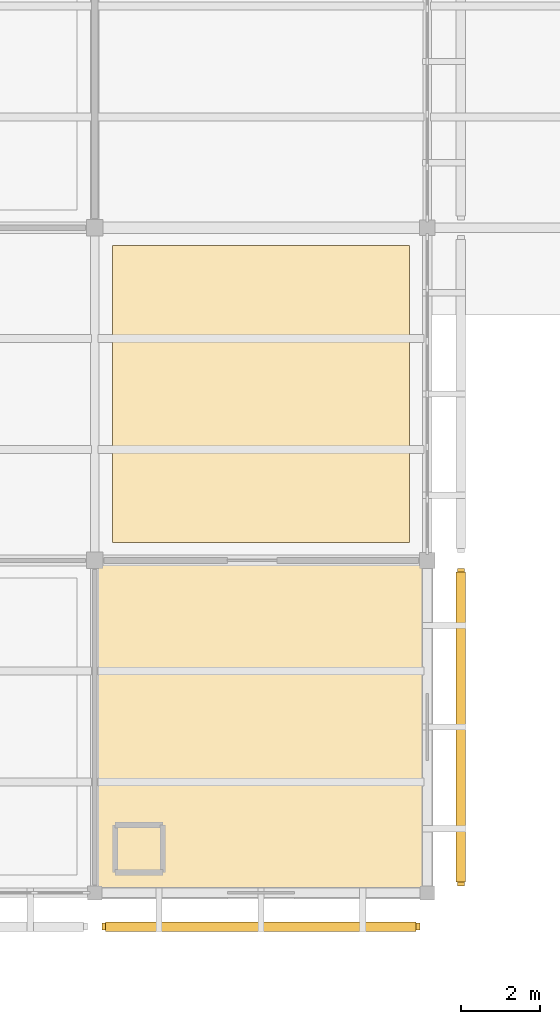
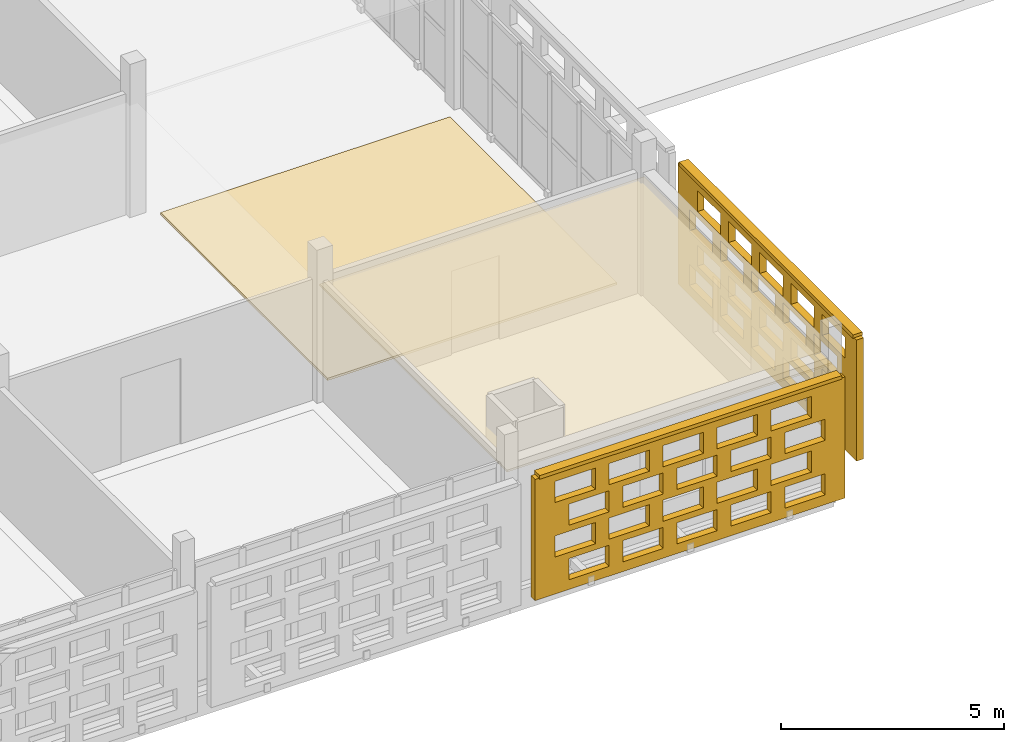
# One storey, part 117 of 166: 4 coverings, 2 shading devices, 40 openings.
"""IFC4 building model written with IfcOpenShell, lengths in metres."""

from ifc_helpers import new_model, si_unit, direction, frame, frame_2d, origin, origin_2d, place, context, subcontext, project, spatial, rectangle, extrude, material, layer, layer_set, type_object, element, save


model = new_model("IFC4")

# Units and contexts
model_context = context("Model", 3, precision=1e-05, world=origin(), true_north=direction((0.0, 1.0)))
body_context = subcontext(model_context, "Body", "Model", "MODEL_VIEW")
ifc_project = project(units=[si_unit("LENGTHUNIT", "METRE"), si_unit("AREAUNIT", "SQUARE_METRE"), si_unit("VOLUMEUNIT", "CUBIC_METRE"), si_unit("PLANEANGLEUNIT", "RADIAN"), si_unit("MASSUNIT", "GRAM", prefix="KILO")], contexts=[model_context])

# Site, building, storey
site_placement = place(None, origin())
site = spatial("IfcSite", under=ifc_project, at=site_placement, CompositionType="ELEMENT")
building_placement = place(site_placement, origin())
building = spatial("IfcBuilding", under=site, at=building_placement, Name="Varnapada Polytechnic", CompositionType="ELEMENT")
storey_placement = place(building_placement, frame((0.0, 0.0, 9.60009765625)))
storey = spatial("IfcBuildingStorey", under=building, at=storey_placement, Name="L02", CompositionType="ELEMENT", Elevation=9.60009765625)

# Coverings
ifc_material_1 = material(Name="Anti-Static Raised Laboratory Flooring")
ifc_layer_1 = layer(ifc_material_1, 0.06005859375)
ifc_layer_set_1 = layer_set([ifc_layer_1], Name="Anti-Static Raised Laboratory Flooring")
covering_type_1 = type_object("IfcCoveringType", Name="Floor Finish FLR-02", PredefinedType="FLOORING", material=ifc_layer_set_1)
covering_1_placement = place(storey_placement, frame((54.60009765625, 12.60009765625, -0.000244140625), z_axis=(0.0, 0.0, 1.0), x_axis=(1.0, 0.0, 0.0)))
element("IfcCovering", 1, at=covering_1_placement, inside=storey, type_object=covering_type_1, Name="L02 floor finish panel (7,2)", PredefinedType="FLOORING", context=body_context, shape_type="SweptSolid", body=[
    extrude(rectangle(XDim=7.5, YDim=7.5, at=origin_2d()), origin(), (0.0, 0.0, 1.0), 0.06005859375),
])
ifc_material_2 = material(Name="Slatted Merbau Timber Acoustic Ceiling", Category="wood")
ifc_layer_2 = layer(ifc_material_2, 0.054931640625)
ifc_layer_set_2 = layer_set([ifc_layer_2], Name="Slatted Merbau Timber Acoustic Ceiling")
covering_type_2 = type_object("IfcCoveringType", Name="Suspended Ceiling CLG-05", PredefinedType="CEILING", material=ifc_layer_set_2)
covering_2_placement = place(storey_placement, frame((54.60009765625, 4.199951171875, 3.0224609375), z_axis=(0.0, 0.0, 1.0), x_axis=(1.0, 0.0, 0.0)))
element("IfcCovering", 2, at=covering_2_placement, inside=storey, type_object=covering_type_2, Name="L02 suspended acoustic ceiling (7,1)", PredefinedType="CEILING", context=body_context, shape_type="SweptSolid", body=[
    extrude(rectangle(XDim=8.419921875, YDim=8.419921875, at=origin_2d()), origin(), (0.0, 0.0, 1.0), 0.054931640625),
])

# Covering, openings
ifc_material_3 = material(Name="Earth-toned architectural terracotta screen block", Category="masonry")
ifc_layer_3 = layer(ifc_material_3, 0.1201171875)
ifc_layer_set_3 = layer_set([ifc_layer_3], Name="Earth-toned architectural terracotta screen block")
covering_type_3 = type_object("IfcCoveringType", Name="Terracotta Screen Cladding CLD-01", PredefinedType="CLADDING", material=ifc_layer_set_3)
covering_3_placement = place(storey_placement, frame((58.6201171875, -0.85009765625, 0.0), z_axis=(0.0, 0.0, 1.0), x_axis=(-1.0, 0.0, 0.0)))
covering_3 = element("IfcCovering", 3, at=covering_3_placement, inside=storey, type_object=covering_type_3, Name="L02 perforated terracotta block screen (38)", PredefinedType="CLADDING", context=body_context, shape_type="SweptSolid", body=[
    extrude(rectangle(XDim=8.0400390625, YDim=0.179931640625, at=frame_2d((4.02001953125, 0.0))), origin(), (0.0, 0.0, 1.0), 3.31982421875),
])
opening_1_placement = place(covering_3_placement, frame((0.52001953125, 0.0, 0.265625)))
element("IfcOpeningElement", 4, at=opening_1_placement, cuts=covering_3, Name="Screen perforation TBS-L02-037.1", PredefinedType="OPENING", context=body_context, shape_type="SweptSolid", body=[
    extrude(rectangle(XDim=1.0400390625, YDim=0.5810546875, at=frame_2d((0.52001953125, 0.29052734375))), frame((0.0, 0.099853515625, 0.0), z_axis=(0.0, -1.0, 0.0), x_axis=(1.0, 0.0, 0.0)), (0.0, 0.0, 1.0), 0.199951171875),
])
opening_2_placement = place(covering_3_placement, frame((1.919921875, 0.0, 0.265625)))
element("IfcOpeningElement", 5, at=opening_2_placement, cuts=covering_3, Name="Screen perforation TBS-L02-037.2", PredefinedType="OPENING", context=body_context, shape_type="SweptSolid", body=[
    extrude(rectangle(XDim=1.0400390625, YDim=0.5810546875, at=frame_2d((0.52001953125, 0.29052734375))), frame((0.0, 0.099853515625, 0.0), z_axis=(0.0, -1.0, 0.0), x_axis=(1.0, 0.0, 0.0)), (0.0, 0.0, 1.0), 0.199951171875),
])
opening_3_placement = place(covering_3_placement, frame((3.320068359375, 0.0, 0.265625)))
element("IfcOpeningElement", 6, at=opening_3_placement, cuts=covering_3, Name="Screen perforation TBS-L02-037.3", PredefinedType="OPENING", context=body_context, shape_type="SweptSolid", body=[
    extrude(rectangle(XDim=1.0400390625, YDim=0.5810546875, at=frame_2d((0.52001953125, 0.29052734375))), frame((0.0, 0.099853515625, 0.0), z_axis=(0.0, -1.0, 0.0), x_axis=(1.0, 0.0, 0.0)), (0.0, 0.0, 1.0), 0.199951171875),
])
opening_4_placement = place(covering_3_placement, frame((4.719970703125, 0.0, 0.265625)))
element("IfcOpeningElement", 7, at=opening_4_placement, cuts=covering_3, Name="Screen perforation TBS-L02-037.4", PredefinedType="OPENING", context=body_context, shape_type="SweptSolid", body=[
    extrude(rectangle(XDim=1.0400390625, YDim=0.5810546875, at=frame_2d((0.52001953125, 0.29052734375))), frame((0.0, 0.099853515625, 0.0), z_axis=(0.0, -1.0, 0.0), x_axis=(1.0, 0.0, 0.0)), (0.0, 0.0, 1.0), 0.199951171875),
])
opening_5_placement = place(covering_3_placement, frame((6.1201171875, 0.0, 0.265625)))
element("IfcOpeningElement", 8, at=opening_5_placement, cuts=covering_3, Name="Screen perforation TBS-L02-037.5", PredefinedType="OPENING", context=body_context, shape_type="SweptSolid", body=[
    extrude(rectangle(XDim=1.0400390625, YDim=0.5810546875, at=frame_2d((0.52001953125, 0.29052734375))), frame((0.0, 0.099853515625, 0.0), z_axis=(0.0, -1.0, 0.0), x_axis=(1.0, 0.0, 0.0)), (0.0, 0.0, 1.0), 0.199951171875),
])
opening_6_placement = place(covering_3_placement, frame((0.8798828125, 0.0, 1.0126953125)))
element("IfcOpeningElement", 9, at=opening_6_placement, cuts=covering_3, Name="Screen perforation TBS-L02-037.6", PredefinedType="OPENING", context=body_context, shape_type="SweptSolid", body=[
    extrude(rectangle(XDim=1.0400390625, YDim=0.5810546875, at=frame_2d((0.52001953125, 0.29052734375))), frame((0.0, 0.099853515625, 0.0), z_axis=(0.0, -1.0, 0.0), x_axis=(1.0, 0.0, 0.0)), (0.0, 0.0, 1.0), 0.199951171875),
])
opening_7_placement = place(covering_3_placement, frame((2.280029296875, 0.0, 1.0126953125)))
element("IfcOpeningElement", 10, at=opening_7_placement, cuts=covering_3, Name="Screen perforation TBS-L02-037.7", PredefinedType="OPENING", context=body_context, shape_type="SweptSolid", body=[
    extrude(rectangle(XDim=1.0400390625, YDim=0.5810546875, at=frame_2d((0.52001953125, 0.29052734375))), frame((0.0, 0.099853515625, 0.0), z_axis=(0.0, -1.0, 0.0), x_axis=(1.0, 0.0, 0.0)), (0.0, 0.0, 1.0), 0.199951171875),
])
opening_8_placement = place(covering_3_placement, frame((3.679931640625, 0.0, 1.0126953125)))
element("IfcOpeningElement", 11, at=opening_8_placement, cuts=covering_3, Name="Screen perforation TBS-L02-037.8", PredefinedType="OPENING", context=body_context, shape_type="SweptSolid", body=[
    extrude(rectangle(XDim=1.0400390625, YDim=0.5810546875, at=frame_2d((0.52001953125, 0.29052734375))), frame((0.0, 0.099853515625, 0.0), z_axis=(0.0, -1.0, 0.0), x_axis=(1.0, 0.0, 0.0)), (0.0, 0.0, 1.0), 0.199951171875),
])
opening_9_placement = place(covering_3_placement, frame((5.080078125, 0.0, 1.0126953125)))
element("IfcOpeningElement", 12, at=opening_9_placement, cuts=covering_3, Name="Screen perforation TBS-L02-037.9", PredefinedType="OPENING", context=body_context, shape_type="SweptSolid", body=[
    extrude(rectangle(XDim=1.0400390625, YDim=0.5810546875, at=frame_2d((0.52001953125, 0.29052734375))), frame((0.0, 0.099853515625, 0.0), z_axis=(0.0, -1.0, 0.0), x_axis=(1.0, 0.0, 0.0)), (0.0, 0.0, 1.0), 0.199951171875),
])
opening_10_placement = place(covering_3_placement, frame((6.47998046875, 0.0, 1.0126953125)))
element("IfcOpeningElement", 13, at=opening_10_placement, cuts=covering_3, Name="Screen perforation TBS-L02-037.10", PredefinedType="OPENING", context=body_context, shape_type="SweptSolid", body=[
    extrude(rectangle(XDim=1.0400390625, YDim=0.5810546875, at=frame_2d((0.52001953125, 0.29052734375))), frame((0.0, 0.099853515625, 0.0), z_axis=(0.0, -1.0, 0.0), x_axis=(1.0, 0.0, 0.0)), (0.0, 0.0, 1.0), 0.199951171875),
])
opening_11_placement = place(covering_3_placement, frame((0.52001953125, 0.0, 1.759521484375)))
element("IfcOpeningElement", 14, at=opening_11_placement, cuts=covering_3, Name="Screen perforation TBS-L02-037.11", PredefinedType="OPENING", context=body_context, shape_type="SweptSolid", body=[
    extrude(rectangle(XDim=1.0400390625, YDim=0.5810546875, at=frame_2d((0.52001953125, 0.29052734375))), frame((0.0, 0.099853515625, 0.0), z_axis=(0.0, -1.0, 0.0), x_axis=(1.0, 0.0, 0.0)), (0.0, 0.0, 1.0), 0.199951171875),
])
opening_12_placement = place(covering_3_placement, frame((1.919921875, 0.0, 1.759521484375)))
element("IfcOpeningElement", 15, at=opening_12_placement, cuts=covering_3, Name="Screen perforation TBS-L02-037.12", PredefinedType="OPENING", context=body_context, shape_type="SweptSolid", body=[
    extrude(rectangle(XDim=1.0400390625, YDim=0.5810546875, at=frame_2d((0.52001953125, 0.29052734375))), frame((0.0, 0.099853515625, 0.0), z_axis=(0.0, -1.0, 0.0), x_axis=(1.0, 0.0, 0.0)), (0.0, 0.0, 1.0), 0.199951171875),
])
opening_13_placement = place(covering_3_placement, frame((3.320068359375, 0.0, 1.759521484375)))
element("IfcOpeningElement", 16, at=opening_13_placement, cuts=covering_3, Name="Screen perforation TBS-L02-037.13", PredefinedType="OPENING", context=body_context, shape_type="SweptSolid", body=[
    extrude(rectangle(XDim=1.0400390625, YDim=0.5810546875, at=frame_2d((0.52001953125, 0.29052734375))), frame((0.0, 0.099853515625, 0.0), z_axis=(0.0, -1.0, 0.0), x_axis=(1.0, 0.0, 0.0)), (0.0, 0.0, 1.0), 0.199951171875),
])
opening_14_placement = place(covering_3_placement, frame((4.719970703125, 0.0, 1.759521484375)))
element("IfcOpeningElement", 17, at=opening_14_placement, cuts=covering_3, Name="Screen perforation TBS-L02-037.14", PredefinedType="OPENING", context=body_context, shape_type="SweptSolid", body=[
    extrude(rectangle(XDim=1.0400390625, YDim=0.5810546875, at=frame_2d((0.52001953125, 0.29052734375))), frame((0.0, 0.099853515625, 0.0), z_axis=(0.0, -1.0, 0.0), x_axis=(1.0, 0.0, 0.0)), (0.0, 0.0, 1.0), 0.199951171875),
])
opening_15_placement = place(covering_3_placement, frame((6.1201171875, 0.0, 1.759521484375)))
element("IfcOpeningElement", 18, at=opening_15_placement, cuts=covering_3, Name="Screen perforation TBS-L02-037.15", PredefinedType="OPENING", context=body_context, shape_type="SweptSolid", body=[
    extrude(rectangle(XDim=1.0400390625, YDim=0.5810546875, at=frame_2d((0.52001953125, 0.29052734375))), frame((0.0, 0.099853515625, 0.0), z_axis=(0.0, -1.0, 0.0), x_axis=(1.0, 0.0, 0.0)), (0.0, 0.0, 1.0), 0.199951171875),
])
opening_16_placement = place(covering_3_placement, frame((0.8798828125, 0.0, 2.506591796875)))
element("IfcOpeningElement", 19, at=opening_16_placement, cuts=covering_3, Name="Screen perforation TBS-L02-037.16", PredefinedType="OPENING", context=body_context, shape_type="SweptSolid", body=[
    extrude(rectangle(XDim=1.0400390625, YDim=0.5810546875, at=frame_2d((0.52001953125, 0.29052734375))), frame((0.0, 0.099853515625, 0.0), z_axis=(0.0, -1.0, 0.0), x_axis=(1.0, 0.0, 0.0)), (0.0, 0.0, 1.0), 0.199951171875),
])
opening_17_placement = place(covering_3_placement, frame((2.280029296875, 0.0, 2.506591796875)))
element("IfcOpeningElement", 20, at=opening_17_placement, cuts=covering_3, Name="Screen perforation TBS-L02-037.17", PredefinedType="OPENING", context=body_context, shape_type="SweptSolid", body=[
    extrude(rectangle(XDim=1.0400390625, YDim=0.5810546875, at=frame_2d((0.52001953125, 0.29052734375))), frame((0.0, 0.099853515625, 0.0), z_axis=(0.0, -1.0, 0.0), x_axis=(1.0, 0.0, 0.0)), (0.0, 0.0, 1.0), 0.199951171875),
])
opening_18_placement = place(covering_3_placement, frame((3.679931640625, 0.0, 2.506591796875)))
element("IfcOpeningElement", 21, at=opening_18_placement, cuts=covering_3, Name="Screen perforation TBS-L02-037.18", PredefinedType="OPENING", context=body_context, shape_type="SweptSolid", body=[
    extrude(rectangle(XDim=1.0400390625, YDim=0.5810546875, at=frame_2d((0.52001953125, 0.29052734375))), frame((0.0, 0.099853515625, 0.0), z_axis=(0.0, -1.0, 0.0), x_axis=(1.0, 0.0, 0.0)), (0.0, 0.0, 1.0), 0.199951171875),
])
opening_19_placement = place(covering_3_placement, frame((5.080078125, 0.0, 2.506591796875)))
element("IfcOpeningElement", 22, at=opening_19_placement, cuts=covering_3, Name="Screen perforation TBS-L02-037.19", PredefinedType="OPENING", context=body_context, shape_type="SweptSolid", body=[
    extrude(rectangle(XDim=1.0400390625, YDim=0.5810546875, at=frame_2d((0.52001953125, 0.29052734375))), frame((0.0, 0.099853515625, 0.0), z_axis=(0.0, -1.0, 0.0), x_axis=(1.0, 0.0, 0.0)), (0.0, 0.0, 1.0), 0.199951171875),
])
opening_20_placement = place(covering_3_placement, frame((6.47998046875, 0.0, 2.506591796875)))
element("IfcOpeningElement", 23, at=opening_20_placement, cuts=covering_3, Name="Screen perforation TBS-L02-037.20", PredefinedType="OPENING", context=body_context, shape_type="SweptSolid", body=[
    extrude(rectangle(XDim=1.0400390625, YDim=0.5810546875, at=frame_2d((0.52001953125, 0.29052734375))), frame((0.0, 0.099853515625, 0.0), z_axis=(0.0, -1.0, 0.0), x_axis=(1.0, 0.0, 0.0)), (0.0, 0.0, 1.0), 0.199951171875),
])

covering_4_placement = place(storey_placement, frame((59.64990234375, 8.199951171875, 0.0), z_axis=(0.0, 0.0, 1.0), x_axis=(0.0, -1.0, 0.0)))
covering_4 = element("IfcCovering", 24, at=covering_4_placement, inside=storey, type_object=covering_type_3, Name="L02 perforated terracotta block screen (39)", PredefinedType="CLADDING", context=body_context, shape_type="SweptSolid", body=[
    extrude(rectangle(XDim=8.02001953125, YDim=0.179931640625, at=frame_2d((4.010009765625, 0.0))), origin(), (0.0, 0.0, 1.0), 3.31982421875),
])
opening_21_placement = place(covering_4_placement, frame((0.510009765625, 0.0, 0.265625)))
element("IfcOpeningElement", 25, at=opening_21_placement, cuts=covering_4, Name="Screen perforation TBS-L02-038.1", PredefinedType="OPENING", context=body_context, shape_type="SweptSolid", body=[
    extrude(rectangle(XDim=1.0400390625, YDim=0.5810546875, at=frame_2d((0.52001953125, 0.29052734375))), frame((0.0, 0.099853515625, 0.0), z_axis=(0.0, -1.0, 0.0), x_axis=(1.0, 0.0, 0.0)), (0.0, 0.0, 1.0), 0.199951171875),
])
opening_22_placement = place(covering_4_placement, frame((1.909912109375, 0.0, 0.265625)))
element("IfcOpeningElement", 26, at=opening_22_placement, cuts=covering_4, Name="Screen perforation TBS-L02-038.2", PredefinedType="OPENING", context=body_context, shape_type="SweptSolid", body=[
    extrude(rectangle(XDim=1.0400390625, YDim=0.5810546875, at=frame_2d((0.52001953125, 0.29052734375))), frame((0.0, 0.099853515625, 0.0), z_axis=(0.0, -1.0, 0.0), x_axis=(1.0, 0.0, 0.0)), (0.0, 0.0, 1.0), 0.199951171875),
])
opening_23_placement = place(covering_4_placement, frame((3.31005859375, 0.0, 0.265625)))
element("IfcOpeningElement", 27, at=opening_23_placement, cuts=covering_4, Name="Screen perforation TBS-L02-038.3", PredefinedType="OPENING", context=body_context, shape_type="SweptSolid", body=[
    extrude(rectangle(XDim=1.0400390625, YDim=0.5810546875, at=frame_2d((0.52001953125, 0.29052734375))), frame((0.0, 0.099853515625, 0.0), z_axis=(0.0, -1.0, 0.0), x_axis=(1.0, 0.0, 0.0)), (0.0, 0.0, 1.0), 0.199951171875),
])
opening_24_placement = place(covering_4_placement, frame((4.7099609375, 0.0, 0.265625)))
element("IfcOpeningElement", 28, at=opening_24_placement, cuts=covering_4, Name="Screen perforation TBS-L02-038.4", PredefinedType="OPENING", context=body_context, shape_type="SweptSolid", body=[
    extrude(rectangle(XDim=1.0400390625, YDim=0.5810546875, at=frame_2d((0.52001953125, 0.29052734375))), frame((0.0, 0.099853515625, 0.0), z_axis=(0.0, -1.0, 0.0), x_axis=(1.0, 0.0, 0.0)), (0.0, 0.0, 1.0), 0.199951171875),
])
opening_25_placement = place(covering_4_placement, frame((6.110107421875, 0.0, 0.265625)))
element("IfcOpeningElement", 29, at=opening_25_placement, cuts=covering_4, Name="Screen perforation TBS-L02-038.5", PredefinedType="OPENING", context=body_context, shape_type="SweptSolid", body=[
    extrude(rectangle(XDim=1.0400390625, YDim=0.5810546875, at=frame_2d((0.52001953125, 0.29052734375))), frame((0.0, 0.099853515625, 0.0), z_axis=(0.0, -1.0, 0.0), x_axis=(1.0, 0.0, 0.0)), (0.0, 0.0, 1.0), 0.199951171875),
])
opening_26_placement = place(covering_4_placement, frame((0.8701171875, 0.0, 1.0126953125)))
element("IfcOpeningElement", 30, at=opening_26_placement, cuts=covering_4, Name="Screen perforation TBS-L02-038.6", PredefinedType="OPENING", context=body_context, shape_type="SweptSolid", body=[
    extrude(rectangle(XDim=1.0400390625, YDim=0.5810546875, at=frame_2d((0.52001953125, 0.29052734375))), frame((0.0, 0.099853515625, 0.0), z_axis=(0.0, -1.0, 0.0), x_axis=(1.0, 0.0, 0.0)), (0.0, 0.0, 1.0), 0.199951171875),
])
opening_27_placement = place(covering_4_placement, frame((2.27001953125, 0.0, 1.0126953125)))
element("IfcOpeningElement", 31, at=opening_27_placement, cuts=covering_4, Name="Screen perforation TBS-L02-038.7", PredefinedType="OPENING", context=body_context, shape_type="SweptSolid", body=[
    extrude(rectangle(XDim=1.0400390625, YDim=0.5810546875, at=frame_2d((0.52001953125, 0.29052734375))), frame((0.0, 0.099853515625, 0.0), z_axis=(0.0, -1.0, 0.0), x_axis=(1.0, 0.0, 0.0)), (0.0, 0.0, 1.0), 0.199951171875),
])
opening_28_placement = place(covering_4_placement, frame((3.669921875, 0.0, 1.0126953125)))
element("IfcOpeningElement", 32, at=opening_28_placement, cuts=covering_4, Name="Screen perforation TBS-L02-038.8", PredefinedType="OPENING", context=body_context, shape_type="SweptSolid", body=[
    extrude(rectangle(XDim=1.0400390625, YDim=0.5810546875, at=frame_2d((0.52001953125, 0.29052734375))), frame((0.0, 0.099853515625, 0.0), z_axis=(0.0, -1.0, 0.0), x_axis=(1.0, 0.0, 0.0)), (0.0, 0.0, 1.0), 0.199951171875),
])
opening_29_placement = place(covering_4_placement, frame((5.070068359375, 0.0, 1.0126953125)))
element("IfcOpeningElement", 33, at=opening_29_placement, cuts=covering_4, Name="Screen perforation TBS-L02-038.9", PredefinedType="OPENING", context=body_context, shape_type="SweptSolid", body=[
    extrude(rectangle(XDim=1.0400390625, YDim=0.5810546875, at=frame_2d((0.52001953125, 0.29052734375))), frame((0.0, 0.099853515625, 0.0), z_axis=(0.0, -1.0, 0.0), x_axis=(1.0, 0.0, 0.0)), (0.0, 0.0, 1.0), 0.199951171875),
])
opening_30_placement = place(covering_4_placement, frame((6.469970703125, 0.0, 1.0126953125)))
element("IfcOpeningElement", 34, at=opening_30_placement, cuts=covering_4, Name="Screen perforation TBS-L02-038.10", PredefinedType="OPENING", context=body_context, shape_type="SweptSolid", body=[
    extrude(rectangle(XDim=1.0400390625, YDim=0.5810546875, at=frame_2d((0.52001953125, 0.29052734375))), frame((0.0, 0.099853515625, 0.0), z_axis=(0.0, -1.0, 0.0), x_axis=(1.0, 0.0, 0.0)), (0.0, 0.0, 1.0), 0.199951171875),
])
opening_31_placement = place(covering_4_placement, frame((0.510009765625, 0.0, 1.759521484375)))
element("IfcOpeningElement", 35, at=opening_31_placement, cuts=covering_4, Name="Screen perforation TBS-L02-038.11", PredefinedType="OPENING", context=body_context, shape_type="SweptSolid", body=[
    extrude(rectangle(XDim=1.0400390625, YDim=0.5810546875, at=frame_2d((0.52001953125, 0.29052734375))), frame((0.0, 0.099853515625, 0.0), z_axis=(0.0, -1.0, 0.0), x_axis=(1.0, 0.0, 0.0)), (0.0, 0.0, 1.0), 0.199951171875),
])
opening_32_placement = place(covering_4_placement, frame((1.909912109375, 0.0, 1.759521484375)))
element("IfcOpeningElement", 36, at=opening_32_placement, cuts=covering_4, Name="Screen perforation TBS-L02-038.12", PredefinedType="OPENING", context=body_context, shape_type="SweptSolid", body=[
    extrude(rectangle(XDim=1.0400390625, YDim=0.5810546875, at=frame_2d((0.52001953125, 0.29052734375))), frame((0.0, 0.099853515625, 0.0), z_axis=(0.0, -1.0, 0.0), x_axis=(1.0, 0.0, 0.0)), (0.0, 0.0, 1.0), 0.199951171875),
])
opening_33_placement = place(covering_4_placement, frame((3.31005859375, 0.0, 1.759521484375)))
element("IfcOpeningElement", 37, at=opening_33_placement, cuts=covering_4, Name="Screen perforation TBS-L02-038.13", PredefinedType="OPENING", context=body_context, shape_type="SweptSolid", body=[
    extrude(rectangle(XDim=1.0400390625, YDim=0.5810546875, at=frame_2d((0.52001953125, 0.29052734375))), frame((0.0, 0.099853515625, 0.0), z_axis=(0.0, -1.0, 0.0), x_axis=(1.0, 0.0, 0.0)), (0.0, 0.0, 1.0), 0.199951171875),
])
opening_34_placement = place(covering_4_placement, frame((4.7099609375, 0.0, 1.759521484375)))
element("IfcOpeningElement", 38, at=opening_34_placement, cuts=covering_4, Name="Screen perforation TBS-L02-038.14", PredefinedType="OPENING", context=body_context, shape_type="SweptSolid", body=[
    extrude(rectangle(XDim=1.0400390625, YDim=0.5810546875, at=frame_2d((0.52001953125, 0.29052734375))), frame((0.0, 0.099853515625, 0.0), z_axis=(0.0, -1.0, 0.0), x_axis=(1.0, 0.0, 0.0)), (0.0, 0.0, 1.0), 0.199951171875),
])
opening_35_placement = place(covering_4_placement, frame((6.110107421875, 0.0, 1.759521484375)))
element("IfcOpeningElement", 39, at=opening_35_placement, cuts=covering_4, Name="Screen perforation TBS-L02-038.15", PredefinedType="OPENING", context=body_context, shape_type="SweptSolid", body=[
    extrude(rectangle(XDim=1.0400390625, YDim=0.5810546875, at=frame_2d((0.52001953125, 0.29052734375))), frame((0.0, 0.099853515625, 0.0), z_axis=(0.0, -1.0, 0.0), x_axis=(1.0, 0.0, 0.0)), (0.0, 0.0, 1.0), 0.199951171875),
])
opening_36_placement = place(covering_4_placement, frame((0.8701171875, 0.0, 2.506591796875)))
element("IfcOpeningElement", 40, at=opening_36_placement, cuts=covering_4, Name="Screen perforation TBS-L02-038.16", PredefinedType="OPENING", context=body_context, shape_type="SweptSolid", body=[
    extrude(rectangle(XDim=1.0400390625, YDim=0.5810546875, at=frame_2d((0.52001953125, 0.29052734375))), frame((0.0, 0.099853515625, 0.0), z_axis=(0.0, -1.0, 0.0), x_axis=(1.0, 0.0, 0.0)), (0.0, 0.0, 1.0), 0.199951171875),
])
opening_37_placement = place(covering_4_placement, frame((2.27001953125, 0.0, 2.506591796875)))
element("IfcOpeningElement", 41, at=opening_37_placement, cuts=covering_4, Name="Screen perforation TBS-L02-038.17", PredefinedType="OPENING", context=body_context, shape_type="SweptSolid", body=[
    extrude(rectangle(XDim=1.0400390625, YDim=0.5810546875, at=frame_2d((0.52001953125, 0.29052734375))), frame((0.0, 0.099853515625, 0.0), z_axis=(0.0, -1.0, 0.0), x_axis=(1.0, 0.0, 0.0)), (0.0, 0.0, 1.0), 0.199951171875),
])
opening_38_placement = place(covering_4_placement, frame((3.669921875, 0.0, 2.506591796875)))
element("IfcOpeningElement", 42, at=opening_38_placement, cuts=covering_4, Name="Screen perforation TBS-L02-038.18", PredefinedType="OPENING", context=body_context, shape_type="SweptSolid", body=[
    extrude(rectangle(XDim=1.0400390625, YDim=0.5810546875, at=frame_2d((0.52001953125, 0.29052734375))), frame((0.0, 0.099853515625, 0.0), z_axis=(0.0, -1.0, 0.0), x_axis=(1.0, 0.0, 0.0)), (0.0, 0.0, 1.0), 0.199951171875),
])
opening_39_placement = place(covering_4_placement, frame((5.070068359375, 0.0, 2.506591796875)))
element("IfcOpeningElement", 43, at=opening_39_placement, cuts=covering_4, Name="Screen perforation TBS-L02-038.19", PredefinedType="OPENING", context=body_context, shape_type="SweptSolid", body=[
    extrude(rectangle(XDim=1.0400390625, YDim=0.5810546875, at=frame_2d((0.52001953125, 0.29052734375))), frame((0.0, 0.099853515625, 0.0), z_axis=(0.0, -1.0, 0.0), x_axis=(1.0, 0.0, 0.0)), (0.0, 0.0, 1.0), 0.199951171875),
])
opening_40_placement = place(covering_4_placement, frame((6.469970703125, 0.0, 2.506591796875)))
element("IfcOpeningElement", 44, at=opening_40_placement, cuts=covering_4, Name="Screen perforation TBS-L02-038.20", PredefinedType="OPENING", context=body_context, shape_type="SweptSolid", body=[
    extrude(rectangle(XDim=1.0400390625, YDim=0.5810546875, at=frame_2d((0.52001953125, 0.29052734375))), frame((0.0, 0.099853515625, 0.0), z_axis=(0.0, -1.0, 0.0), x_axis=(1.0, 0.0, 0.0)), (0.0, 0.0, 1.0), 0.199951171875),
])

# Shading devices
ifc_layer_4 = layer(ifc_material_3, 0.179931640625)
ifc_layer_set_4 = layer_set([ifc_layer_4], Name="Earth-toned architectural terracotta screen block")
shading_device_type = type_object("IfcShadingDeviceType", Name="Terracotta Screen SCR-01", PredefinedType="USERDEFINED", material=ifc_layer_set_4)
shading_device_1_placement = place(storey_placement, frame((54.60009765625, -0.85009765625, 3.309814453125), z_axis=(0.0, 0.0, 1.0), x_axis=(-1.0, 0.0, 0.0)))
element("IfcShadingDevice", 45, at=shading_device_1_placement, inside=storey, type_object=shading_device_type, Name="L02 perforated terracotta screen hood 267", ObjectType="SCREEN", PredefinedType="USERDEFINED", context=body_context, shape_type="SweptSolid", body=[
    extrude(rectangle(XDim=7.840087890625, YDim=0.239990234375, at=origin_2d()), origin(), (0.0, 0.0, 1.0), 0.10009765625),
])
shading_device_2_placement = place(storey_placement, frame((59.64990234375, 4.18994140625, 3.309814453125), z_axis=(0.0, 0.0, 1.0), x_axis=(0.0, -1.0, 0.0)))
element("IfcShadingDevice", 46, at=shading_device_2_placement, inside=storey, type_object=shading_device_type, Name="L02 perforated terracotta screen hood 268", ObjectType="SCREEN", PredefinedType="USERDEFINED", context=body_context, shape_type="SweptSolid", body=[
    extrude(rectangle(XDim=7.820068359375, YDim=0.239990234375, at=origin_2d()), origin(), (0.0, 0.0, 1.0), 0.10009765625),
])

save(model, "model.ifc")
